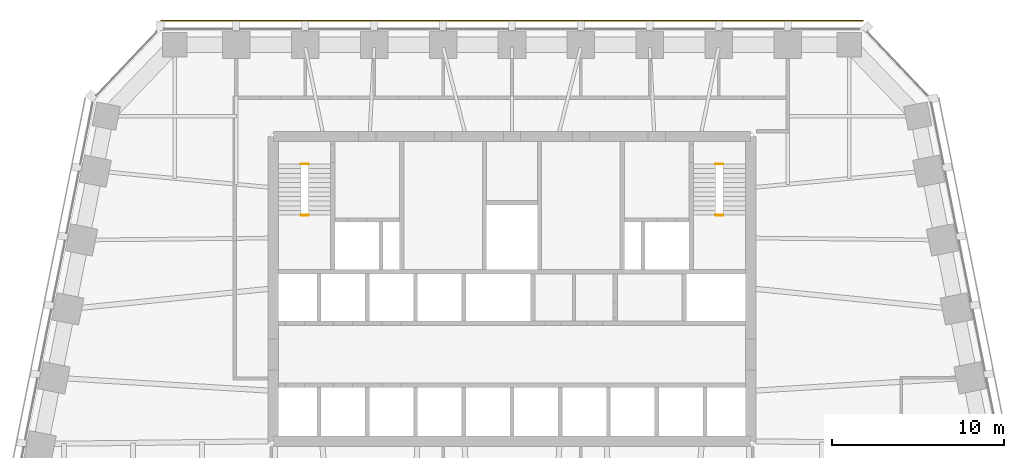
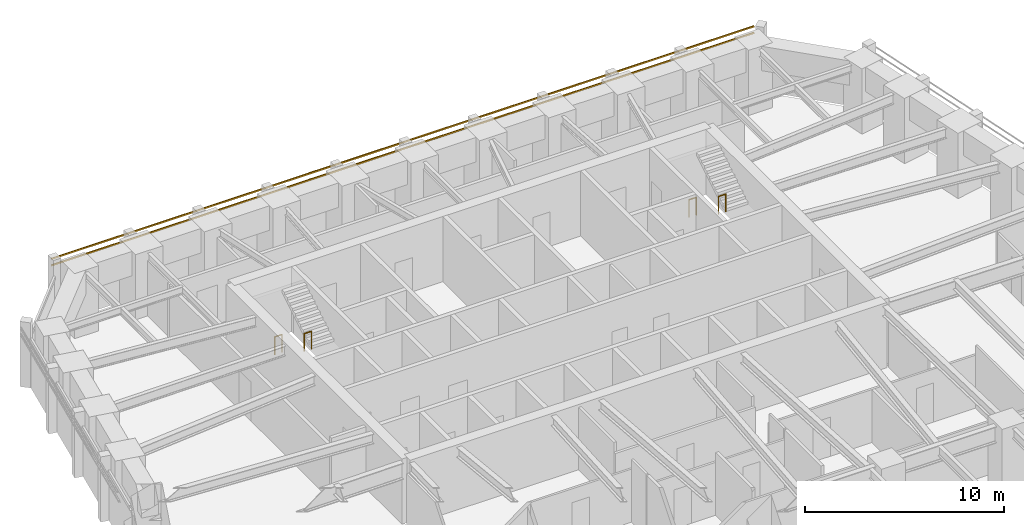
# One storey, part 9 of 9: 4 railings, 2 shading devices.
"""IFC4 building model written with IfcOpenShell, lengths in metres."""

from ifc_helpers import new_model, si_unit, direction, frame, origin, origin_2d, place, context, subcontext, project, spatial, rectangle, circle, extrude, material, material_profile, profile_set, type_object, element, save


model = new_model("IFC4")

# Units and contexts
model_context = context("Model", 3, precision=1e-05, world=origin(), true_north=direction((0.0, 1.0)))
body_context = subcontext(model_context, "Body", "Model", "MODEL_VIEW")
ifc_project = project(units=[si_unit("LENGTHUNIT", "METRE"), si_unit("AREAUNIT", "SQUARE_METRE"), si_unit("VOLUMEUNIT", "CUBIC_METRE"), si_unit("PLANEANGLEUNIT", "RADIAN"), si_unit("MASSUNIT", "GRAM", prefix="KILO")], contexts=[model_context])

# Site, building, storey
site_placement = place(None, origin())
site = spatial("IfcSite", under=ifc_project, at=site_placement, CompositionType="ELEMENT")
building_placement = place(site_placement, origin())
building = spatial("IfcBuilding", under=site, at=building_placement, Name="Isbrekke Arena Tower", CompositionType="ELEMENT")
storey_placement = place(building_placement, frame((0.0, 0.0, 178.0)))
storey = spatial("IfcBuildingStorey", under=building, at=storey_placement, Name="L40", CompositionType="ELEMENT", Elevation=178.0)

# Shading devices
ifc_material_1 = material(Name="Terracotta", Category="masonry")
ifc_material_profile = material_profile(ifc_material_1, rectangle(XDim=0.06005859375, YDim=0.06005859375, at=origin_2d()), Name="BAGUETTE 60X60")
ifc_profile_set = profile_set([ifc_material_profile], Name="Terracotta")
shading_device_type = type_object("IfcShadingDeviceType", Name="BG1 TERRACOTTA BAGUETTE 60 x 60", PredefinedType="USERDEFINED", material=ifc_profile_set)
for number, where, z_axis, x_axis, name in (
    (1, (20.39990234375, 30.580078125, 3.280029296875), (-1.0, 0.0, 0.0), (0.0, -1.0, 0.0), "BG1 terracotta baguette N1 L40"),
    (2, (20.39990234375, 30.580078125, 3.679931640625), (-1.0, 0.0, 0.0), (0.0, -1.0, 0.0), "BG1 terracotta baguette N2 L40"),
):
    element("IfcShadingDevice", number, at=place(storey_placement, frame(where, z_axis=z_axis, x_axis=x_axis)), inside=storey, type_object=shading_device_type, Name=name, ObjectType="TERRACOTTA BAGUETTE", PredefinedType="USERDEFINED", context=body_context, shape_type="SweptSolid", body=[
        extrude(rectangle(XDim=0.06005859375, YDim=0.06005859375, at=origin_2d()), origin(), (0.0, 0.0, 1.0), 40.7998046875),
    ])

# Railings
ifc_material_2 = material(Name="Steel stair guard, vertical bars, steel handrail", Category="steel")
railing_type = type_object("IfcRailingType", Name="GR3 STAIR WELL GUARD 1100", PredefinedType="GUARDRAIL", material=ifc_material_2)
for number, where, name in (
    (3, (-12.25, 22.25, 0.0), "GR3 stair well guard ST1 L40"),
    (4, (-12.25, 19.280029296875, 2.0), "GR3 stair well guard ST1 L40"),
    (5, (11.824951171875, 22.25, 0.0), "GR3 stair well guard ST2 L40"),
    (6, (11.824951171875, 19.280029296875, 2.0), "GR3 stair well guard ST2 L40"),
):
    element("IfcRailing", number, at=place(storey_placement, frame(where)), inside=storey, type_object=railing_type, Name=name, PredefinedType="GUARDRAIL", context=body_context, shape_type="SweptSolid", body=[
        extrude(circle(Radius=0.02392578125, at=origin_2d()), frame((0.0, 0.0, 1.076171875), z_axis=(1.0, 0.0, 0.0), x_axis=(0.0, 1.0, 0.0)), (0.0, 0.0, 1.0), 0.425048828125),
        extrude(circle(Radius=0.02099609375, at=origin_2d()), origin(), (0.0, 0.0, 1.0), 1.052001953125),
        extrude(circle(Radius=0.02099609375, at=origin_2d()), frame((0.425048828125, 0.0, 0.0)), (0.0, 0.0, 1.0), 1.052001953125),
    ])

save(model, "model.ifc")
